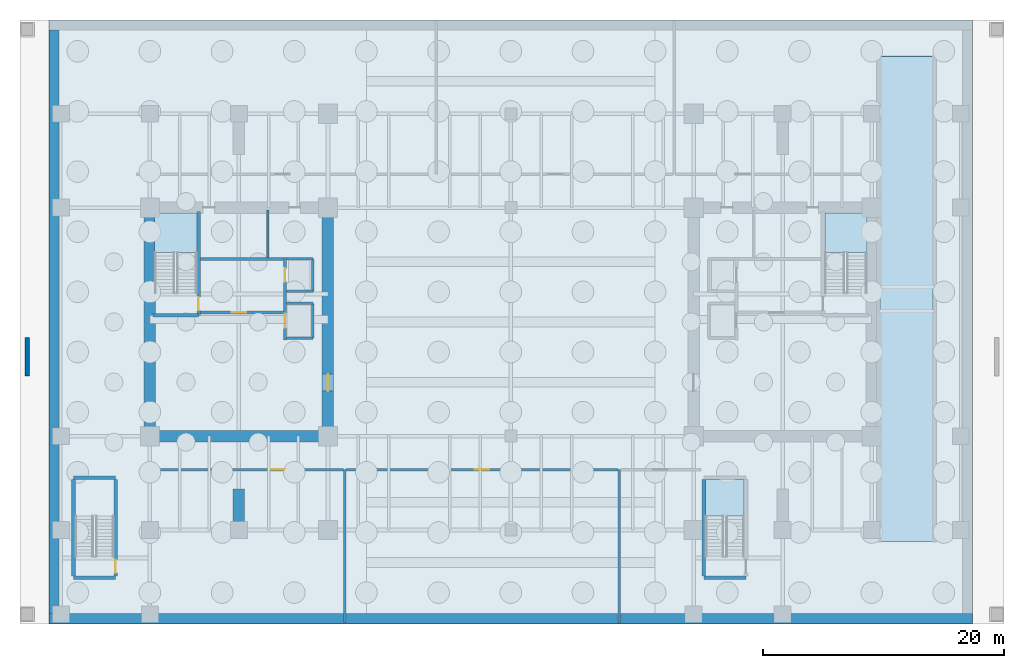
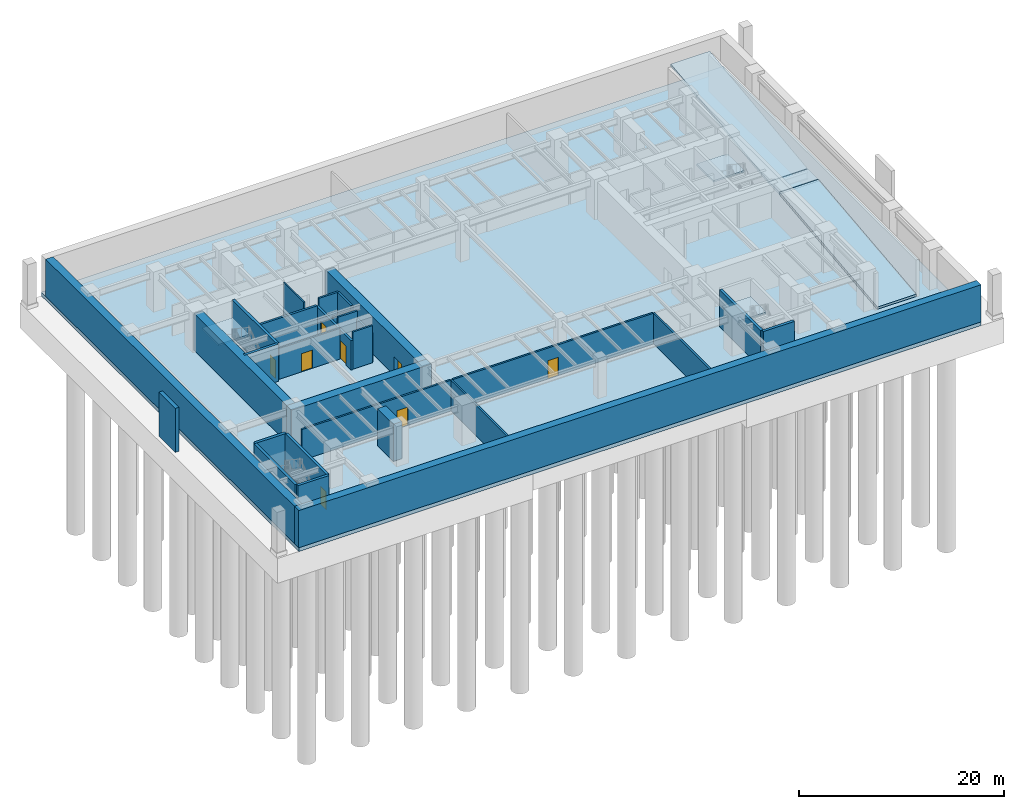
# One storey, part 3 of 8: 29 walls, 8 doors, 7 slabs, 8 openings, 3 elements without a shape of their own.
"""IFC4 building model written with IfcOpenShell, lengths in metres."""

from ifc_helpers import new_model, si_unit, direction, frame, frame_2d, origin, place, context, subcontext, project, spatial, polyline, rectangle, outline, extrude, source, transform, mapped, material, layer, layer_set, type_object, type_shapes, element, fill, aggregate, save


model = new_model("IFC4")

# Units and contexts
model_context = context("Model", 3, precision=1e-05, world=origin(), true_north=direction((0.0, 1.0)))
body_context = subcontext(model_context, "Body", "Model", "MODEL_VIEW")
ifc_project = project(units=[si_unit("LENGTHUNIT", "METRE"), si_unit("AREAUNIT", "SQUARE_METRE"), si_unit("VOLUMEUNIT", "CUBIC_METRE"), si_unit("PLANEANGLEUNIT", "RADIAN"), si_unit("MASSUNIT", "GRAM", prefix="KILO")], contexts=[model_context])

# Site, building, storey
site_placement = place(None, origin())
site = spatial("IfcSite", under=ifc_project, at=site_placement, CompositionType="ELEMENT")
building_placement = place(site_placement, origin())
building = spatial("IfcBuilding", under=site, at=building_placement, Name="Haelvirn Gate Laboratories", CompositionType="ELEMENT")
storey_placement = place(building_placement, frame((0.0, 0.0, -14.39990234375)))
storey = spatial("IfcBuildingStorey", under=building, at=storey_placement, Name="B3", CompositionType="ELEMENT", Elevation=-14.39990234375)

# Slab
ifc_material_1 = material(Name="Concrete C50/60", Category="concrete")
ifc_layer_1 = layer(ifc_material_1, 0.449951171875, Name="SL-BASE-450")
ifc_layer_set_1 = layer_set([ifc_layer_1], Name="Concrete C50/60")
slab_type_1 = type_object("IfcSlabType", Name="SL-BASE-450", PredefinedType="BASESLAB", material=ifc_layer_set_1)
slab_1_placement = place(storey_placement, frame((0.0, 0.0, -0.4501953125)))
element("IfcSlab", 1, at=slab_1_placement, inside=storey, type_object=slab_type_1, Name="B3 Structural Slab MAIN", PredefinedType="BASESLAB", context=body_context, shape_type="SweptSolid", body=[
    extrude(outline(polyline([(-1.0, -0.800048828125), (75.800048828125, -0.800048828125), (75.800048828125, -0.800048828125), (75.800048828125, -0.800048828125), (75.800048828125, 49.39990234375), (75.800048828125, 49.39990234375), (75.800048828125, 49.39990234375), (-1.0, 49.39990234375), (-1.0, 49.39990234375), (-1.0, 49.39990234375), (-1.0, -0.800048828125), (-1.0, -0.800048828125), (-1.0, -0.800048828125)])), origin(), (0.0, 0.0, 1.0), 0.4501953125),
])

# Stair, slab
ifc_material_2 = material(Name="Concrete C40/50", Category="concrete")
stair_type_1 = type_object("IfcStairType", Name="ST-DOG-1650-R26", PredefinedType="HALF_TURN_STAIR", material=ifc_material_2)
stair_1_placement = place(storey_placement, origin())
stair_1 = element("IfcStair", 2, at=stair_1_placement, inside=storey, type_object=stair_type_1, Name="B3 Escape Stair ST1", PredefinedType="HALF_TURN_STAIR")
ifc_layer_2 = layer(ifc_material_2, 0.199951171875, Name="SL-STAIR-LND")
ifc_layer_set_2 = layer_set([ifc_layer_2], Name="Concrete C40/50")
slab_type_2 = type_object("IfcSlabType", Name="SL-STAIR-LND", PredefinedType="LANDING", material=ifc_layer_set_2)
slab_2_placement = place(storey_placement, frame((0.0, 0.0, 2.199951171875)))
slab_2 = element("IfcSlab", 3, at=slab_2_placement, type_object=slab_type_2, Name="ST1 landing 1", PredefinedType="LANDING", context=body_context, shape_type="SweptSolid", body=[
    extrude(outline(polyline([(11.300048828125, 30.06005859375), (11.300048828125, 33.35009765625), (7.800048828125, 33.35009765625), (7.800048828125, 30.06005859375), (11.300048828125, 30.06005859375)])), origin(), (0.0, 0.0, 1.0), 0.199951171875),
])
aggregate(stair_1, [slab_2])

stair_2_placement = place(storey_placement, origin())
stair_2 = element("IfcStair", 4, at=stair_2_placement, inside=storey, type_object=stair_type_1, Name="B3 Escape Stair ST2", PredefinedType="HALF_TURN_STAIR")
slab_3_placement = place(storey_placement, frame((0.0, 0.0, 2.199951171875)))
slab_3 = element("IfcSlab", 5, at=slab_3_placement, type_object=slab_type_2, Name="ST2 landing 1", PredefinedType="LANDING", context=body_context, shape_type="SweptSolid", body=[
    extrude(outline(polyline([(67.0, 30.06005859375), (67.0, 33.35009765625), (63.5, 33.35009765625), (63.5, 30.06005859375), (67.0, 30.06005859375)])), origin(), (0.0, 0.0, 1.0), 0.199951171875),
])
aggregate(stair_2, [slab_3])

stair_type_2 = type_object("IfcStairType", Name="ST-DOG-1500-R26", PredefinedType="HALF_TURN_STAIR", material=ifc_material_2)
stair_3_placement = place(storey_placement, origin())
stair_3 = element("IfcStair", 6, at=stair_3_placement, inside=storey, type_object=stair_type_2, Name="B3 Escape Stair ST4", PredefinedType="HALF_TURN_STAIR")
slab_4_placement = place(storey_placement, frame((0.0, 0.0, 2.199951171875)))
slab_4 = element("IfcSlab", 7, at=slab_4_placement, type_object=slab_type_2, Name="ST4 landing 1", PredefinedType="LANDING", context=body_context, shape_type="SweptSolid", body=[
    extrude(outline(polyline([(56.800048828125, 8.159912109375), (56.800048828125, 11.199951171875), (53.60009765625, 11.199951171875), (53.60009765625, 8.159912109375), (56.800048828125, 8.159912109375)])), origin(), (0.0, 0.0, 1.0), 0.199951171875),
])
aggregate(stair_3, [slab_4])

# Slabs
ifc_layer_3 = layer(ifc_material_1, 0.300048828125, Name="SL-VRMP-300")
ifc_layer_set_3 = layer_set([ifc_layer_3], Name="Concrete C50/60")
slab_type_3 = type_object("IfcSlabType", Name="SL-VRMP-300", PredefinedType="USERDEFINED", material=ifc_layer_set_3)
slab_5_placement = place(storey_placement, frame((68.10009765625, 6.050048828125, 0.309814453125), z_axis=(0.0, -0.108780151458, 0.99406583215), x_axis=(1.0, 0.0, 0.0)))
element("IfcSlab", 8, at=slab_5_placement, inside=storey, type_object=slab_type_3, Name="Car park vehicle ramp B3 lower structural slab", ObjectType="RAMP", PredefinedType="USERDEFINED", context=body_context, shape_type="SweptSolid", body=[
    extrude(outline(polyline([(0.0, 0.0), (4.39990234375, 0.0), (4.39990234375, 19.2138671875), (0.0, 19.2138671875), (0.0, 0.0)])), origin(), (0.0, 0.0, -1.0), 0.300048828125),
])
slab_6_placement = place(storey_placement, frame((68.10009765625, 27.25, 2.39990234375), z_axis=(0.0, -0.124668441349, 0.992198457836), x_axis=(1.0, 0.0, 0.0)))
element("IfcSlab", 9, at=slab_6_placement, inside=storey, type_object=slab_type_3, Name="Car park vehicle ramp B3 upper structural slab", ObjectType="RAMP", PredefinedType="USERDEFINED", context=body_context, shape_type="SweptSolid", body=[
    extrude(outline(polyline([(0.0, 0.0), (4.39990234375, 0.0), (4.39990234375, 19.250244140625), (0.0, 19.250244140625), (0.0, 0.0)])), origin(), (0.0, 0.0, -1.0), 0.300048828125),
])
ifc_layer_4 = layer(ifc_material_1, 0.300048828125, Name="SL-VRMP-LND")
ifc_layer_set_4 = layer_set([ifc_layer_4], Name="Concrete C50/60")
slab_type_4 = type_object("IfcSlabType", Name="SL-VRMP-LND", PredefinedType="LANDING", material=ifc_layer_set_4)
slab_7_placement = place(storey_placement, frame((0.0, 0.0, 2.099853515625)))
element("IfcSlab", 10, at=slab_7_placement, inside=storey, type_object=slab_type_4, Name="Car park vehicle ramp B3 intermediate landing", PredefinedType="LANDING", context=body_context, shape_type="SweptSolid", body=[
    extrude(outline(polyline([(68.10009765625, 25.199951171875), (72.5, 25.199951171875), (72.5, 27.199951171875), (68.10009765625, 27.199951171875), (68.10009765625, 25.199951171875)])), origin(), (0.0, 0.0, 1.0), 0.300048828125),
])

# Walls
ifc_material_3 = material(Name="Cement-board restroom plumbing chase wall", Category="gypsum")
ifc_layer_5 = layer(ifc_material_3, 0.155029296875, Name="IW-PLUMB-160")
ifc_layer_set_5 = layer_set([ifc_layer_5], Name="Cement-board restroom plumbing chase wall")
wall_type_1 = type_object("IfcWallType", Name="IW-PLUMB-160", PredefinedType="PLUMBINGWALL", material=ifc_layer_set_5)
wall_1_placement = place(storey_placement, frame((17.18994140625, 29.64990234375, 0.0), z_axis=(0.0, 0.0, 1.0), x_axis=(0.0, 1.0, 0.0)))
element("IfcWall", 11, at=wall_1_placement, inside=storey, type_object=wall_type_1, Name="B3 Interior Wall IW-B3-W-CDIV-1", PredefinedType="PLUMBINGWALL", context=body_context, shape_type="SweptSolid", body=[
    extrude(rectangle(XDim=3.93017578125, YDim=0.155029296875, at=frame_2d((1.965087890625, 0.0))), origin(), (0.0, 0.0, 1.0), 4.419921875),
])
ifc_layer_6 = layer(ifc_material_2, 0.199951171875, Name="IW-SHAFT-200")
ifc_layer_set_6 = layer_set([ifc_layer_6], Name="Concrete C40/50")
wall_type_2 = type_object("IfcWallType", Name="IW-SHAFT-200", PredefinedType="SOLIDWALL", material=ifc_layer_set_6)
wall_2_placement = place(storey_placement, frame((20.949951171875, 26.85009765625, 0.0), z_axis=(0.0, 0.0, 1.0), x_axis=(0.0, 1.0, 0.0)))
element("IfcWall", 12, at=wall_2_placement, inside=storey, type_object=wall_type_2, Name="B3 Interior Wall IW-B3-FL1-BK", PredefinedType="SOLIDWALL", context=body_context, shape_type="SweptSolid", body=[
    extrude(rectangle(XDim=2.699951171875, YDim=0.199951171875, at=frame_2d((1.35009765625, 0.0))), origin(), (0.0, 0.0, 1.0), 4.419921875),
])
wall_3_placement = place(storey_placement, frame((18.760009765625, 29.550048828125, 0.0), z_axis=(0.0, 0.0, 1.0), x_axis=(1.0, 0.0, 0.0)))
element("IfcWall", 13, at=wall_3_placement, inside=storey, type_object=wall_type_2, Name="B3 Interior Wall IW-B3-FL1-N", PredefinedType="SOLIDWALL", context=body_context, shape_type="SweptSolid", body=[
    extrude(rectangle(XDim=2.18994140625, YDim=0.199951171875, at=frame_2d((1.094970703125, 0.0))), origin(), (0.0, 0.0, 1.0), 4.419921875),
])
wall_4_placement = place(storey_placement, frame((18.760009765625, 26.85009765625, 0.0), z_axis=(0.0, 0.0, 1.0), x_axis=(1.0, 0.0, 0.0)))
element("IfcWall", 14, at=wall_4_placement, inside=storey, type_object=wall_type_2, Name="B3 Interior Wall IW-B3-FL1-S", PredefinedType="SOLIDWALL", context=body_context, shape_type="SweptSolid", body=[
    extrude(rectangle(XDim=2.18994140625, YDim=0.199951171875, at=frame_2d((1.094970703125, 0.0))), origin(), (0.0, 0.0, 1.0), 3.81689453125),
])
wall_5_placement = place(storey_placement, frame((20.949951171875, 22.949951171875, 0.0), z_axis=(0.0, 0.0, 1.0), x_axis=(0.0, 1.0, 0.0)))
element("IfcWall", 15, at=wall_5_placement, inside=storey, type_object=wall_type_2, Name="B3 Interior Wall IW-B3-SL1-BK", PredefinedType="SOLIDWALL", context=body_context, shape_type="SweptSolid", body=[
    extrude(rectangle(XDim=2.900146484375, YDim=0.199951171875, at=frame_2d((1.4501953125, 0.0))), origin(), (0.0, 0.0, 1.0), 3.5048828125),
])
for number, where, z_axis, x_axis, name in (
    (16, (18.760009765625, 25.85009765625, 0.0), (0.0, 0.0, 1.0), (1.0, 0.0, 0.0), "B3 Interior Wall IW-B3-SL1-N"),
    (17, (18.760009765625, 22.949951171875, 0.0), (0.0, 0.0, 1.0), (1.0, 0.0, 0.0), "B3 Interior Wall IW-B3-SL1-S"),
):
    element("IfcWall", number, at=place(storey_placement, frame(where, z_axis=z_axis, x_axis=x_axis)), inside=storey, type_object=wall_type_2, Name=name, PredefinedType="SOLIDWALL", context=body_context, shape_type="SweptSolid", body=[
        extrude(rectangle(XDim=2.18994140625, YDim=0.199951171875, at=frame_2d((1.094970703125, 0.0))), origin(), (0.0, 0.0, 1.0), 4.419921875),
    ])

# Wall, opening, door
wall_6_placement = place(storey_placement, frame((6.699951171875, 12.02001953125, 0.0), z_axis=(0.0, 0.0, 1.0), x_axis=(1.0, 0.0, 0.0)))
wall_6 = element("IfcWall", 18, at=wall_6_placement, inside=storey, type_object=wall_type_2, Name="B3 Interior Wall IW-B3-PSW-1", PredefinedType="SOLIDWALL", context=body_context, shape_type="SweptSolid", body=[
    extrude(rectangle(XDim=16.800048828125, YDim=0.199951171875, at=frame_2d((8.39990234375, 0.0))), origin(), (0.0, 0.0, 1.0), 3.65478515625),
])
opening_1_placement = place(wall_6_placement, frame((10.726806640625, 0.0, 0.0)))
opening_1 = element("IfcOpeningElement", 19, at=opening_1_placement, cuts=wall_6, Name="Opening FD2", PredefinedType="OPENING", context=body_context, shape_type="SweptSolid", body=[
    extrude(rectangle(XDim=1.199951171875, YDim=2.159912109375, at=frame_2d((0.60009765625, 1.080078125))), frame((0.0, 0.10986328125, 0.0), z_axis=(0.0, -1.0, 0.0), x_axis=(1.0, 0.0, 0.0)), (0.0, 0.0, 1.0), 0.219970703125),
])
ifc_material_4 = material(Name="Fire-rated steel SM355 compartment door", Category="steel")
door_type_1 = type_object("IfcDoorType", Name="DR-FD-1200", OperationType="NOTDEFINED", PredefinedType="DOOR", material=ifc_material_4)
shared_shape_1 = source(origin(), body_context, "Body", "SweptSolid", [
    extrude(rectangle(XDim=1.199951171875, YDim=2.159912109375, at=frame_2d((0.60009765625, 1.080078125))), frame((0.0, 0.02490234375, 0.0), z_axis=(0.0, -1.0, 0.0), x_axis=(1.0, 0.0, 0.0)), (0.0, 0.0, 1.0), 0.050048828125),
])
type_shapes(door_type_1, [shared_shape_1])
door_1_placement = place(opening_1_placement, origin())
door_1 = element("IfcDoor", 20, at=door_1_placement, inside=storey, type_object=door_type_1, Name="B3 Chiller & Heat-Rejection Hall Fire Door", OperationType="SINGLE_SWING_LEFT", OverallHeight=2.159912109375, OverallWidth=1.199951171875, PredefinedType="DOOR", context=body_context, shape_type="MappedRepresentation", body=[
    mapped(shared_shape_1, transform((0.0, 0.0, 0.0), scale=1.0)),
])
fill(opening_1, door_1)

# Wall
wall_7_placement = place(storey_placement, frame((23.60009765625, -0.68994140625, 0.0), z_axis=(0.0, 0.0, 1.0), x_axis=(0.0, 1.0, 0.0)))
element("IfcWall", 21, at=wall_7_placement, inside=storey, type_object=wall_type_2, Name="B3 Interior Wall IW-B3-PSDIV-1", PredefinedType="SOLIDWALL", context=body_context, shape_type="SweptSolid", body=[
    extrude(rectangle(XDim=12.7099609375, YDim=0.199951171875, at=frame_2d((6.35498046875, 0.0))), origin(), (0.0, 0.0, 1.0), 3.60498046875),
])

# Wall, opening, door
wall_8_placement = place(storey_placement, frame((23.699951171875, 12.02001953125, 0.0), z_axis=(0.0, 0.0, 1.0), x_axis=(1.0, 0.0, 0.0)))
wall_8 = element("IfcWall", 22, at=wall_8_placement, inside=storey, type_object=wall_type_2, Name="B3 Interior Wall IW-B3-PSW-2", PredefinedType="SOLIDWALL", context=body_context, shape_type="SweptSolid", body=[
    extrude(rectangle(XDim=22.60009765625, YDim=0.199951171875, at=frame_2d((11.300048828125, 0.0))), origin(), (0.0, 0.0, 1.0), 3.65478515625),
])
opening_2_placement = place(wall_8_placement, frame((10.699951171875, 0.0, 0.0)))
opening_2 = element("IfcOpeningElement", 23, at=opening_2_placement, cuts=wall_8, Name="Opening FD2", PredefinedType="OPENING", context=body_context, shape_type="SweptSolid", body=[
    extrude(rectangle(XDim=1.199951171875, YDim=2.159912109375, at=frame_2d((0.60009765625, 1.080078125))), frame((0.0, 0.10986328125, 0.0), z_axis=(0.0, -1.0, 0.0), x_axis=(1.0, 0.0, 0.0)), (0.0, 0.0, 1.0), 0.219970703125),
])
door_2_placement = place(opening_2_placement, origin())
door_2 = element("IfcDoor", 24, at=door_2_placement, inside=storey, type_object=door_type_1, Name="B3 Fire Sprinkler Cistern & Pump Room Fire Door", OperationType="SINGLE_SWING_RIGHT", OverallHeight=2.159912109375, OverallWidth=1.199951171875, PredefinedType="DOOR", context=body_context, shape_type="MappedRepresentation", body=[
    mapped(shared_shape_1, transform((0.0, 0.0, 0.0), scale=1.0)),
])
fill(opening_2, door_2)

# Wall
wall_9_placement = place(storey_placement, frame((46.39990234375, -0.68994140625, 0.0), z_axis=(0.0, 0.0, 1.0), x_axis=(0.0, 1.0, 0.0)))
element("IfcWall", 25, at=wall_9_placement, inside=storey, type_object=wall_type_2, Name="B3 Interior Wall IW-B3-PSDIV-2", PredefinedType="SOLIDWALL", context=body_context, shape_type="SweptSolid", body=[
    extrude(rectangle(XDim=12.7099609375, YDim=0.199951171875, at=frame_2d((6.35498046875, 0.0))), origin(), (0.0, 0.0, 1.0), 3.60498046875),
])

# Wall, opening, door
ifc_layer_7 = layer(ifc_material_2, 0.239990234375, Name="IW-SHAFT-240")
ifc_layer_set_7 = layer_set([ifc_layer_7], Name="Concrete C40/50")
wall_type_3 = type_object("IfcWallType", Name="IW-SHAFT-240", PredefinedType="SOLIDWALL", material=ifc_layer_set_7)
wall_10_placement = place(storey_placement, frame((11.60009765625, 25.080078125, 0.0), z_axis=(0.0, 0.0, 1.0), x_axis=(1.0, 0.0, 0.0)))
wall_10 = element("IfcWall", 26, at=wall_10_placement, inside=storey, type_object=wall_type_3, Name="B3 Interior Wall IW-B3-W-FF-S", PredefinedType="SOLIDWALL", context=body_context, shape_type="SweptSolid", body=[
    extrude(rectangle(XDim=6.919921875, YDim=0.239990234375, at=frame_2d((3.4599609375, 0.0))), origin(), (0.0, 0.0, 1.0), 3.65478515625),
])
opening_3_placement = place(wall_10_placement, frame((2.60009765625, 0.0, 0.0)))
opening_3 = element("IfcOpeningElement", 27, at=opening_3_placement, cuts=wall_10, Name="Opening FD2", PredefinedType="OPENING", context=body_context, shape_type="SweptSolid", body=[
    extrude(rectangle(XDim=1.199951171875, YDim=2.159912109375, at=frame_2d((0.60009765625, 1.080078125))), frame((0.0, 0.1298828125, 0.0), z_axis=(0.0, -1.0, 0.0), x_axis=(1.0, 0.0, 0.0)), (0.0, 0.0, 1.0), 0.260009765625),
])
door_3_placement = place(opening_3_placement, origin())
door_3 = element("IfcDoor", 28, at=door_3_placement, inside=storey, type_object=door_type_1, Name="B3 West Firefighting Lobby Door", OperationType="SINGLE_SWING_RIGHT", OverallHeight=2.159912109375, OverallWidth=1.199951171875, PredefinedType="DOOR", context=body_context, shape_type="MappedRepresentation", body=[
    mapped(shared_shape_1, transform((0.0, 0.0, 0.0), scale=1.0)),
])
fill(opening_3, door_3)

# Wall
wall_11_placement = place(storey_placement, frame((11.60009765625, 29.52001953125, 0.0), z_axis=(0.0, 0.0, 1.0), x_axis=(1.0, 0.0, 0.0)))
element("IfcWall", 29, at=wall_11_placement, inside=storey, type_object=wall_type_3, Name="B3 Interior Wall IW-B3-W-FF-N", PredefinedType="SOLIDWALL", context=body_context, shape_type="SweptSolid", body=[
    extrude(rectangle(XDim=6.919921875, YDim=0.239990234375, at=frame_2d((3.4599609375, 0.0))), origin(), (0.0, 0.0, 1.0), 3.65478515625),
])

# Wall, openings, doors
wall_12_placement = place(storey_placement, frame((18.639892578125, 22.800048828125, 0.0), z_axis=(0.0, 0.0, 1.0), x_axis=(0.0, 1.0, 0.0)))
wall_12 = element("IfcWall", 30, at=wall_12_placement, inside=storey, type_object=wall_type_3, Name="B3 Interior Wall IW-B3-W-FF-E", PredefinedType="SOLIDWALL", context=body_context, shape_type="SweptSolid", body=[
    extrude(rectangle(XDim=6.849853515625, YDim=0.239990234375, at=frame_2d((3.4248046875, 0.0))), origin(), (0.0, 0.0, 1.0), 3.5048828125),
])
opening_4_placement = place(wall_12_placement, frame((4.85009765625, 0.0, 0.0)))
opening_4 = element("IfcOpeningElement", 31, at=opening_4_placement, cuts=wall_12, Name="Opening LD2", PredefinedType="OPENING", context=body_context, shape_type="SweptSolid", body=[
    extrude(rectangle(XDim=1.10009765625, YDim=2.219970703125, at=frame_2d((0.550048828125, 1.10986328125))), frame((0.0, 0.1298828125, 0.0), z_axis=(0.0, -1.0, 0.0), x_axis=(1.0, 0.0, 0.0)), (0.0, 0.0, 1.0), 0.260009765625),
])
opening_5_placement = place(wall_12_placement, frame((1.0, 0.0, 0.0)))
opening_5 = element("IfcOpeningElement", 32, at=opening_5_placement, cuts=wall_12, Name="Opening LD1", PredefinedType="OPENING", context=body_context, shape_type="SweptSolid", body=[
    extrude(rectangle(XDim=1.199951171875, YDim=2.219970703125, at=frame_2d((0.60009765625, 1.10986328125))), frame((0.0, 0.1298828125, 0.0), z_axis=(0.0, -1.0, 0.0), x_axis=(1.0, 0.0, 0.0)), (0.0, 0.0, 1.0), 0.260009765625),
])
ifc_material_5 = material(Name="Bronze stainless 316L sliding lift landing door")
door_type_2 = type_object("IfcDoorType", Name="DR-LD-1100", OperationType="NOTDEFINED", PredefinedType="USERDEFINED", material=ifc_material_5)
shared_shape_2 = source(origin(), body_context, "Body", "SweptSolid", [
    extrude(rectangle(XDim=1.10009765625, YDim=2.219970703125, at=frame_2d((0.550048828125, 1.10986328125))), frame((0.0, 0.02490234375, 0.0), z_axis=(0.0, -1.0, 0.0), x_axis=(1.0, 0.0, 0.0)), (0.0, 0.0, 1.0), 0.050048828125),
])
type_shapes(door_type_2, [shared_shape_2])
door_4_placement = place(opening_4_placement, origin())
door_4 = element("IfcDoor", 33, at=door_4_placement, inside=storey, type_object=door_type_2, Name="B3 Firefighting Lift FL1 Landing Door", ObjectType="LANDING_DOOR", OperationType="SLIDING_TO_LEFT", OverallHeight=2.219970703125, OverallWidth=1.10009765625, PredefinedType="USERDEFINED", context=body_context, shape_type="MappedRepresentation", body=[
    mapped(shared_shape_2, transform((0.0, 0.0, 0.0), scale=1.0)),
])
fill(opening_4, door_4)
ifc_material_6 = material(Name="Stainless steel 316L sliding goods landing door", Category="steel")
door_type_3 = type_object("IfcDoorType", Name="DR-LD-1200", OperationType="NOTDEFINED", PredefinedType="USERDEFINED", material=ifc_material_6)
shared_shape_3 = source(origin(), body_context, "Body", "SweptSolid", [
    extrude(rectangle(XDim=1.199951171875, YDim=2.219970703125, at=frame_2d((0.60009765625, 1.10986328125))), frame((0.0, 0.02490234375, 0.0), z_axis=(0.0, -1.0, 0.0), x_axis=(1.0, 0.0, 0.0)), (0.0, 0.0, 1.0), 0.050048828125),
])
type_shapes(door_type_3, [shared_shape_3])
door_5_placement = place(opening_5_placement, origin())
door_5 = element("IfcDoor", 34, at=door_5_placement, inside=storey, type_object=door_type_3, Name="B3 Service Lift SL1 Landing Door", ObjectType="LANDING_DOOR", OperationType="SLIDING_TO_RIGHT", OverallHeight=2.219970703125, OverallWidth=1.199951171875, PredefinedType="USERDEFINED", context=body_context, shape_type="MappedRepresentation", body=[
    mapped(shared_shape_3, transform((0.0, 0.0, 0.0), scale=1.0)),
])
fill(opening_5, door_5)

# Walls
ifc_material_7 = material(Name="Concrete C70/85", Category="concrete")
ifc_layer_8 = layer(ifc_material_7, 0.949951171875, Name="SW-CORE-950")
ifc_layer_set_8 = layer_set([ifc_layer_8], Name="Concrete C70/85")
wall_type_4 = type_object("IfcWallType", Name="SW-CORE-950", PredefinedType="SHEAR", material=ifc_layer_set_8)
wall_13_placement = place(storey_placement, frame((6.925048828125, 14.800048828125, 0.0), z_axis=(0.0, 0.0, 1.0), x_axis=(1.0, 0.0, 0.0)))
element("IfcWall", 35, at=wall_13_placement, inside=storey, type_object=wall_type_4, Name="B3 W Core Shear Wall S", PredefinedType="SHEAR", context=body_context, shape_type="SweptSolid", body=[
    extrude(rectangle(XDim=15.75, YDim=0.949951171875, at=frame_2d((7.875, 0.0))), origin(), (0.0, 0.0, 1.0), 4.419921875),
])
wall_14_placement = place(storey_placement, frame((7.39990234375, 15.27490234375, 0.0), z_axis=(0.0, 0.0, 1.0), x_axis=(0.0, 1.0, 0.0)))
element("IfcWall", 36, at=wall_14_placement, inside=storey, type_object=wall_type_4, Name="B3 W Core Shear Wall W", PredefinedType="SHEAR", context=body_context, shape_type="SweptSolid", body=[
    extrude(rectangle(XDim=18.050048828125, YDim=0.949951171875, at=frame_2d((9.02490234375, 0.0))), origin(), (0.0, 0.0, 1.0), 4.419921875),
])

# Wall, opening, door
wall_15_placement = place(storey_placement, frame((22.199951171875, 15.27490234375, 0.0), z_axis=(0.0, 0.0, 1.0), x_axis=(0.0, 1.0, 0.0)))
wall_15 = element("IfcWall", 37, at=wall_15_placement, inside=storey, type_object=wall_type_4, Name="B3 W Core Shear Wall E", PredefinedType="SHEAR", context=body_context, shape_type="SweptSolid", body=[
    extrude(rectangle(XDim=18.050048828125, YDim=0.949951171875, at=frame_2d((9.02490234375, 0.0))), origin(), (0.0, 0.0, 1.0), 4.419921875),
])
opening_6_placement = place(wall_15_placement, frame((3.27490234375, 0.0, 0.0)))
opening_6 = element("IfcOpeningElement", 38, at=opening_6_placement, cuts=wall_15, Name="Opening FD1", PredefinedType="OPENING", context=body_context, shape_type="SweptSolid", body=[
    extrude(rectangle(XDim=1.419921875, YDim=2.199951171875, at=frame_2d((0.7099609375, 1.10009765625))), frame((0.0, 0.48486328125, 0.0), z_axis=(0.0, -1.0, 0.0), x_axis=(1.0, 0.0, 0.0)), (0.0, 0.0, 1.0), 0.969970703125),
])
ifc_material_8 = material(Name="Fire-rated double steel SM355 lobby door", Category="steel")
door_type_4 = type_object("IfcDoorType", Name="DR-FD-1400", OperationType="NOTDEFINED", PredefinedType="DOOR", material=ifc_material_8)
shared_shape_4 = source(origin(), body_context, "Body", "SweptSolid", [
    extrude(rectangle(XDim=1.419921875, YDim=2.199951171875, at=frame_2d((0.7099609375, 1.10009765625))), frame((0.0, 0.02490234375, 0.0), z_axis=(0.0, -1.0, 0.0), x_axis=(1.0, 0.0, 0.0)), (0.0, 0.0, 1.0), 0.050048828125),
])
type_shapes(door_type_4, [shared_shape_4])
door_6_placement = place(opening_6_placement, origin())
door_6 = element("IfcDoor", 39, at=door_6_placement, inside=storey, type_object=door_type_4, Name="B3 West Core Lift Lobby Fire Door", OperationType="DOUBLE_DOOR_SINGLE_SWING", OverallHeight=2.199951171875, OverallWidth=1.419921875, PredefinedType="DOOR", context=body_context, shape_type="MappedRepresentation", body=[
    mapped(shared_shape_4, transform((0.0, 0.0, 0.0), scale=1.0)),
])
fill(opening_6, door_6)

# Walls
wall_16_placement = place(storey_placement, frame((14.800048828125, 7.300048828125, 0.0), z_axis=(0.0, 0.0, 1.0), x_axis=(0.0, 1.0, 0.0)))
element("IfcWall", 40, at=wall_16_placement, inside=storey, type_object=wall_type_4, Name="B3 Transverse Slab Shear Wall W-S", PredefinedType="SHEAR", context=body_context, shape_type="SweptSolid", body=[
    extrude(rectangle(XDim=3.099853515625, YDim=0.949951171875, at=frame_2d((1.5498046875, 0.0))), origin(), (0.0, 0.0, 1.0), 4.419921875),
])
ifc_layer_9 = layer(ifc_material_1, 0.39990234375, Name="SW-PLINTH-400")
ifc_layer_set_9 = layer_set([ifc_layer_9], Name="Concrete C50/60")
wall_type_5 = type_object("IfcWallType", Name="SW-PLINTH-400", PredefinedType="SOLIDWALL", material=ifc_layer_set_9)
wall_17_placement = place(storey_placement, frame((-2.800048828125, 19.800048828125, -0.4501953125), z_axis=(0.0, 0.0, 1.0), x_axis=(0.0, 1.0, 0.0)))
element("IfcWall", 41, at=wall_17_placement, inside=storey, type_object=wall_type_5, Name="B3 West Accessible Ramp Plinth Wall", PredefinedType="SOLIDWALL", context=body_context, shape_type="SweptSolid", body=[
    extrude(rectangle(XDim=3.199951171875, YDim=0.39990234375, at=frame_2d((1.60009765625, 0.0))), origin(), (0.0, 0.0, 1.0), 5.25),
])
ifc_layer_10 = layer(ifc_material_1, 0.85009765625, Name="SW-RET-850")
ifc_layer_set_10 = layer_set([ifc_layer_10], Name="Concrete C50/60")
wall_type_6 = type_object("IfcWallType", Name="SW-RET-850", PredefinedType="SOLIDWALL", material=ifc_layer_set_10)
wall_18_placement = place(storey_placement, frame((-1.0, -0.375, 0.0), z_axis=(0.0, 0.0, 1.0), x_axis=(1.0, 0.0, 0.0)))
element("IfcWall", 42, at=wall_18_placement, inside=storey, type_object=wall_type_6, Name="B3 Perimeter Diaphragm Wall S", PredefinedType="SOLIDWALL", context=body_context, shape_type="SweptSolid", body=[
    extrude(rectangle(XDim=76.800048828125, YDim=0.85009765625, at=frame_2d((38.39990234375, 0.0))), origin(), (0.0, 0.0, 1.0), 4.419921875),
])
wall_19_placement = place(storey_placement, frame((-0.574951171875, 0.050048828125, 0.0), z_axis=(0.0, 0.0, 1.0), x_axis=(0.0, 1.0, 0.0)))
element("IfcWall", 43, at=wall_19_placement, inside=storey, type_object=wall_type_6, Name="B3 Perimeter Diaphragm Wall W", PredefinedType="SOLIDWALL", context=body_context, shape_type="SweptSolid", body=[
    extrude(rectangle(XDim=48.5, YDim=0.85009765625, at=frame_2d((24.25, 0.0))), origin(), (0.0, 0.0, 1.0), 4.419921875),
])

# Wall, opening, door
ifc_layer_11 = layer(ifc_material_1, 0.300048828125, Name="SW-STAIR-300")
ifc_layer_set_11 = layer_set([ifc_layer_11], Name="Concrete C50/60")
wall_type_7 = type_object("IfcWallType", Name="SW-STAIR-300", PredefinedType="SHEAR", material=ifc_layer_set_11)
wall_20_placement = place(storey_placement, frame((11.449951171875, 24.85009765625, 0.0), z_axis=(0.0, 0.0, 1.0), x_axis=(0.0, 1.0, 0.0)))
wall_20 = element("IfcWall", 44, at=wall_20_placement, inside=storey, type_object=wall_type_7, Name="B3 W Core Stair Shaft Structural Wall IN", PredefinedType="SHEAR", context=body_context, shape_type="SweptSolid", body=[
    extrude(rectangle(XDim=8.6298828125, YDim=0.300048828125, at=frame_2d((4.31494140625, 0.0))), origin(), (0.0, 0.0, 1.0), 4.419921875),
])
opening_7_placement = place(wall_20_placement, frame((0.419921875, 0.0, 0.0)))
opening_7 = element("IfcOpeningElement", 45, at=opening_7_placement, cuts=wall_20, Name="Opening FD3", PredefinedType="OPENING", context=body_context, shape_type="SweptSolid", body=[
    extrude(rectangle(XDim=1.10009765625, YDim=2.14990234375, at=frame_2d((0.550048828125, 1.074951171875))), frame((0.0, 0.16015625, 0.0), z_axis=(0.0, -1.0, 0.0), x_axis=(1.0, 0.0, 0.0)), (0.0, 0.0, 1.0), 0.320068359375),
])
ifc_material_9 = material(Name="Fire-rated steel SM355 escape stair door", Category="steel")
door_type_5 = type_object("IfcDoorType", Name="DR-FD-1100", OperationType="NOTDEFINED", PredefinedType="DOOR", material=ifc_material_9)
shared_shape_5 = source(origin(), body_context, "Body", "SweptSolid", [
    extrude(rectangle(XDim=1.10009765625, YDim=2.14990234375, at=frame_2d((0.550048828125, 1.074951171875))), frame((0.0, 0.02490234375, 0.0), z_axis=(0.0, -1.0, 0.0), x_axis=(1.0, 0.0, 0.0)), (0.0, 0.0, 1.0), 0.050048828125),
])
type_shapes(door_type_5, [shared_shape_5])
door_7_placement = place(opening_7_placement, origin())
door_7 = element("IfcDoor", 46, at=door_7_placement, inside=storey, type_object=door_type_5, Name="B3 Escape Stair ST1 Fire Door", OperationType="SINGLE_SWING_LEFT", OverallHeight=2.14990234375, OverallWidth=1.10009765625, PredefinedType="DOOR", context=body_context, shape_type="MappedRepresentation", body=[
    mapped(shared_shape_5, transform((0.0, 0.0, 0.0), scale=1.0)),
])
fill(opening_7, door_7)

# Walls
wall_21_placement = place(storey_placement, frame((7.64990234375, 24.85009765625, 0.0), z_axis=(0.0, 0.0, 1.0), x_axis=(1.0, 0.0, 0.0)))
element("IfcWall", 47, at=wall_21_placement, inside=storey, type_object=wall_type_7, Name="B3 W Core Stair Shaft Structural Wall S", PredefinedType="SHEAR", context=body_context, shape_type="SweptSolid", body=[
    extrude(rectangle(XDim=3.800048828125, YDim=0.300048828125, at=frame_2d((1.89990234375, 0.0))), origin(), (0.0, 0.0, 1.0), 4.419921875),
])
for number, where, z_axis, x_axis, name in (
    (48, (1.050048828125, 3.050048828125, 0.0), (0.0, 0.0, 1.0), (1.0, 0.0, 0.0), "B3 Podium Stair ST3 Structural Wall S"),
    (49, (1.050048828125, 11.35009765625, 0.0), (0.0, 0.0, 1.0), (1.0, 0.0, 0.0), "B3 Podium Stair ST3 Structural Wall N"),
):
    element("IfcWall", number, at=place(storey_placement, frame(where, z_axis=z_axis, x_axis=x_axis)), inside=storey, type_object=wall_type_7, Name=name, PredefinedType="SHEAR", context=body_context, shape_type="SweptSolid", body=[
        extrude(rectangle(XDim=3.5, YDim=0.300048828125, at=frame_2d((1.75, 0.0))), origin(), (0.0, 0.0, 1.0), 4.419921875),
    ])
wall_22_placement = place(storey_placement, frame((1.050048828125, 3.199951171875, 0.0), z_axis=(0.0, 0.0, 1.0), x_axis=(0.0, 1.0, 0.0)))
element("IfcWall", 50, at=wall_22_placement, inside=storey, type_object=wall_type_7, Name="B3 Podium Stair ST3 Structural Wall W", PredefinedType="SHEAR", context=body_context, shape_type="SweptSolid", body=[
    extrude(rectangle(XDim=8.0, YDim=0.300048828125, at=frame_2d((4.0, 0.0))), origin(), (0.0, 0.0, 1.0), 4.419921875),
])

# Wall, opening, door
wall_23_placement = place(storey_placement, frame((4.550048828125, 3.199951171875, 0.0), z_axis=(0.0, 0.0, 1.0), x_axis=(0.0, 1.0, 0.0)))
wall_23 = element("IfcWall", 51, at=wall_23_placement, inside=storey, type_object=wall_type_7, Name="B3 Podium Stair ST3 Structural Wall E", PredefinedType="SHEAR", context=body_context, shape_type="SweptSolid", body=[
    extrude(rectangle(XDim=8.0, YDim=0.300048828125, at=frame_2d((4.0, 0.0))), origin(), (0.0, 0.0, 1.0), 4.419921875),
])
opening_8_placement = place(wall_23_placement, frame((0.25, 0.0, 0.0)))
opening_8 = element("IfcOpeningElement", 52, at=opening_8_placement, cuts=wall_23, Name="Opening FD3", PredefinedType="OPENING", context=body_context, shape_type="SweptSolid", body=[
    extrude(rectangle(XDim=1.10009765625, YDim=2.14990234375, at=frame_2d((0.550048828125, 1.074951171875))), frame((0.0, 0.16015625, 0.0), z_axis=(0.0, -1.0, 0.0), x_axis=(1.0, 0.0, 0.0)), (0.0, 0.0, 1.0), 0.320068359375),
])
door_8_placement = place(opening_8_placement, origin())
door_8 = element("IfcDoor", 53, at=door_8_placement, inside=storey, type_object=door_type_5, Name="B3 Escape Stair ST3 Fire Door", OperationType="SINGLE_SWING_RIGHT", OverallHeight=2.14990234375, OverallWidth=1.10009765625, PredefinedType="DOOR", context=body_context, shape_type="MappedRepresentation", body=[
    mapped(shared_shape_5, transform((0.0, 0.0, 0.0), scale=1.0)),
])
fill(opening_8, door_8)

# Walls
wall_24_placement = place(storey_placement, frame((53.449951171875, 3.050048828125, 0.0), z_axis=(0.0, 0.0, 1.0), x_axis=(1.0, 0.0, 0.0)))
element("IfcWall", 54, at=wall_24_placement, inside=storey, type_object=wall_type_7, Name="B3 Podium Stair ST4 Structural Wall S", PredefinedType="SHEAR", context=body_context, shape_type="SweptSolid", body=[
    extrude(rectangle(XDim=3.5, YDim=0.300048828125, at=frame_2d((1.75, 0.0))), origin(), (0.0, 0.0, 1.0), 4.419921875),
])
wall_25_placement = place(storey_placement, frame((53.449951171875, 3.199951171875, 0.0), z_axis=(0.0, 0.0, 1.0), x_axis=(0.0, 1.0, 0.0)))
element("IfcWall", 55, at=wall_25_placement, inside=storey, type_object=wall_type_7, Name="B3 Podium Stair ST4 Structural Wall W", PredefinedType="SHEAR", context=body_context, shape_type="SweptSolid", body=[
    extrude(rectangle(XDim=8.0, YDim=0.300048828125, at=frame_2d((4.0, 0.0))), origin(), (0.0, 0.0, 1.0), 4.419921875),
])

save(model, "model.ifc")
